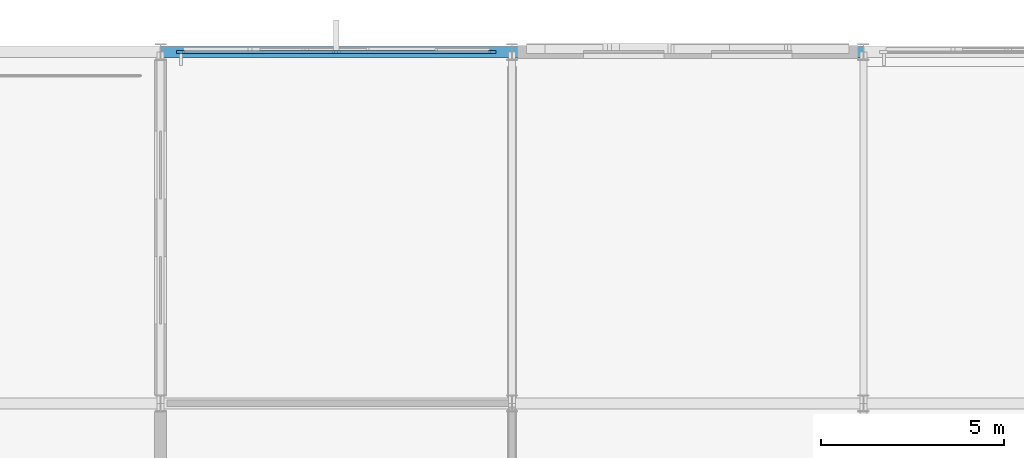
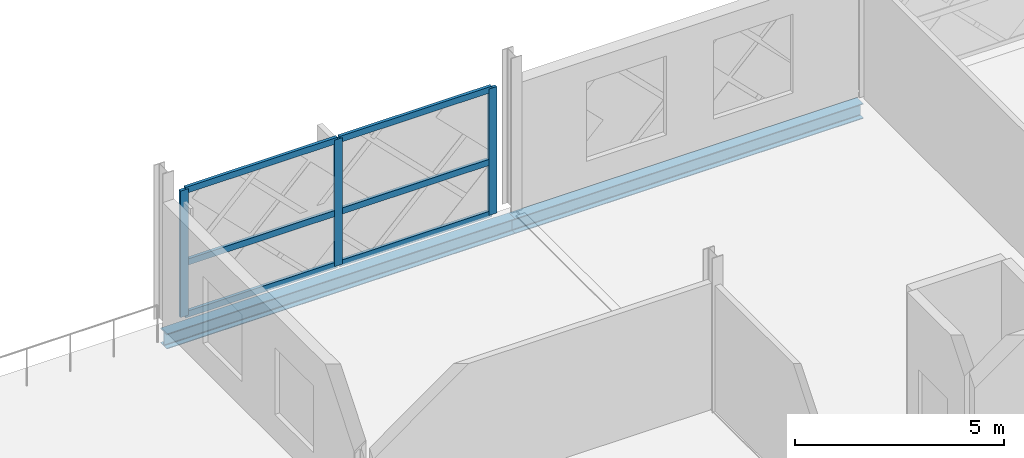
# One storey, part 46 of 101: 9 members, 2 beams, 1 element without a shape of its own.
"""IFC4 building model written with IfcOpenShell, lengths in metres."""

from ifc_helpers import new_model, si_unit, direction, frame, origin, origin_2d, place, context, subcontext, project, spatial, rectangle, i_section, extrude, material, layer, layer_set, material_profile, profile_set, type_object, element, aggregate, save


model = new_model("IFC4")

# Units and contexts
model_context = context("Model", 3, precision=1e-05, world=origin(), true_north=direction((0.0, 1.0)))
body_context = subcontext(model_context, "Body", "Model", "MODEL_VIEW")
ifc_project = project(units=[si_unit("LENGTHUNIT", "METRE"), si_unit("AREAUNIT", "SQUARE_METRE"), si_unit("VOLUMEUNIT", "CUBIC_METRE"), si_unit("PLANEANGLEUNIT", "RADIAN"), si_unit("MASSUNIT", "GRAM", prefix="KILO")], contexts=[model_context])

# Site, building, storey
site_placement = place(None, origin())
site = spatial("IfcSite", under=ifc_project, at=site_placement, CompositionType="ELEMENT")
building_placement = place(site_placement, origin())
building = spatial("IfcBuilding", under=site, at=building_placement, Name="Zevrakil Square Congress Hotel", CompositionType="ELEMENT")
storey_placement = place(building_placement, frame((0.0, 0.0, 5.39990234375)))
storey = spatial("IfcBuildingStorey", under=building, at=storey_placement, Name="L02", CompositionType="ELEMENT", Elevation=5.39990234375)

# Beams
ifc_material_1 = material(Name="Steel S355", Category="steel")
ifc_material_profile_1 = material_profile(ifc_material_1, i_section(OverallWidth=0.300048828125, OverallDepth=0.43994140625, WebThickness=0.011474609375, FlangeThickness=0.02099609375, FilletRadius=0.027099609375, at=origin_2d()), Name="HEA 450")
ifc_profile_set_1 = profile_set([ifc_material_profile_1], Name="Steel S355")
beam_type = type_object("IfcBeamType", Name="BM-HEA450", PredefinedType="BEAM", material=ifc_profile_set_1)
beam_1_placement = place(storey_placement, frame((45.60009765625, 112.800048828125, -0.47998046875), z_axis=(1.0, 0.0, 0.0), x_axis=(0.0, 1.0, 0.0)))
element("IfcBeam", 1, at=beam_1_placement, inside=storey, type_object=beam_type, Name="L02 primary girder BX-0804", PredefinedType="BEAM", context=body_context, shape_type="SweptSolid", body=[
    extrude(i_section(OverallWidth=0.300048828125, OverallDepth=0.43994140625, WebThickness=0.011474609375, FlangeThickness=0.02099609375, FilletRadius=0.027099609375, at=origin_2d()), origin(), (0.0, 0.0, 1.0), 9.599853515625),
])
beam_2_placement = place(storey_placement, frame((55.199951171875, 112.800048828125, -0.47998046875), z_axis=(1.0, 0.0, 0.0), x_axis=(0.0, 1.0, 0.0)))
element("IfcBeam", 2, at=beam_2_placement, inside=storey, type_object=beam_type, Name="L02 primary girder BX-0805", PredefinedType="BEAM", context=body_context, shape_type="SweptSolid", body=[
    extrude(i_section(OverallWidth=0.300048828125, OverallDepth=0.43994140625, WebThickness=0.011474609375, FlangeThickness=0.02099609375, FilletRadius=0.027099609375, at=origin_2d()), origin(), (0.0, 0.0, 1.0), 9.60009765625),
])

# Curtain wall, members
ifc_material_2 = material(Name="Aluminium Anodised Bronze", Category="aluminium")
ifc_layer = layer(ifc_material_2, 0.179931640625)
ifc_layer_set = layer_set([ifc_layer], Name="Aluminium Anodised Bronze")
curtain_wall_type = type_object("IfcCurtainWallType", Name="CW-L02-840", PredefinedType="USERDEFINED", material=ifc_layer_set)
curtain_wall_placement = place(storey_placement, origin())
curtain_wall = element("IfcCurtainWall", 3, at=curtain_wall_placement, inside=storey, type_object=curtain_wall_type, Name="L02 diamond curtain wall CW-L02-0036", ObjectType="GLAZED CURTAIN WALL", PredefinedType="USERDEFINED")
ifc_material_3 = material(Name="Aluminium Anodised Bronze", Category="aluminium")
ifc_material_profile_2 = material_profile(ifc_material_3, rectangle(XDim=0.0849609375, YDim=0.179931640625, at=origin_2d()), Name="ALU 85x180")
ifc_profile_set_2 = profile_set([ifc_material_profile_2], Name="Aluminium Anodised Bronze")
member_type_1 = type_object("IfcMemberType", Name="CWM-ALU85x180", PredefinedType="USERDEFINED", material=ifc_profile_set_2)
member_1_placement = place(storey_placement, frame((46.179931640625, 112.800048828125, 0.030029296875), z_axis=(1.0, 0.0, 0.0), x_axis=(0.0, 1.0, 0.0)))
member_1 = element("IfcMember", 4, at=member_1_placement, type_object=member_type_1, Name="CW-23 transom 1.1", ObjectType="TRANSOM", PredefinedType="USERDEFINED", context=body_context, shape_type="SweptSolid", body=[
    extrude(rectangle(XDim=0.0849609375, YDim=0.179931640625, at=origin_2d()), origin(), (0.0, 0.0, 1.0), 4.190185546875),
])
member_2_placement = place(storey_placement, frame((46.179931640625, 112.800048828125, 1.5478515625), z_axis=(1.0, 0.0, 0.0), x_axis=(0.0, 1.0, 0.0)))
member_2 = element("IfcMember", 5, at=member_2_placement, type_object=member_type_1, Name="CW-23 transom 1.2", ObjectType="TRANSOM", PredefinedType="USERDEFINED", context=body_context, shape_type="SweptSolid", body=[
    extrude(rectangle(XDim=0.0849609375, YDim=0.179931640625, at=origin_2d()), origin(), (0.0, 0.0, 1.0), 4.190185546875),
])
member_3_placement = place(storey_placement, frame((46.179931640625, 112.800048828125, 3.655029296875), z_axis=(1.0, 0.0, 0.0), x_axis=(0.0, 1.0, 0.0)))
member_3 = element("IfcMember", 6, at=member_3_placement, type_object=member_type_1, Name="CW-23 transom 1.3", ObjectType="TRANSOM", PredefinedType="USERDEFINED", context=body_context, shape_type="SweptSolid", body=[
    extrude(rectangle(XDim=0.0849609375, YDim=0.179931640625, at=origin_2d()), origin(), (0.0, 0.0, 1.0), 4.190185546875),
])
member_4_placement = place(storey_placement, frame((50.429931640625, 112.800048828125, 0.030029296875), z_axis=(1.0, 0.0, 0.0), x_axis=(0.0, 1.0, 0.0)))
member_4 = element("IfcMember", 7, at=member_4_placement, type_object=member_type_1, Name="CW-23 transom 2.1", ObjectType="TRANSOM", PredefinedType="USERDEFINED", context=body_context, shape_type="SweptSolid", body=[
    extrude(rectangle(XDim=0.0849609375, YDim=0.179931640625, at=origin_2d()), origin(), (0.0, 0.0, 1.0), 4.190185546875),
])
member_5_placement = place(storey_placement, frame((50.429931640625, 112.800048828125, 1.5478515625), z_axis=(1.0, 0.0, 0.0), x_axis=(0.0, 1.0, 0.0)))
member_5 = element("IfcMember", 8, at=member_5_placement, type_object=member_type_1, Name="CW-23 transom 2.2", ObjectType="TRANSOM", PredefinedType="USERDEFINED", context=body_context, shape_type="SweptSolid", body=[
    extrude(rectangle(XDim=0.0849609375, YDim=0.179931640625, at=origin_2d()), origin(), (0.0, 0.0, 1.0), 4.190185546875),
])
member_6_placement = place(storey_placement, frame((50.429931640625, 112.800048828125, 3.655029296875), z_axis=(1.0, 0.0, 0.0), x_axis=(0.0, 1.0, 0.0)))
member_6 = element("IfcMember", 9, at=member_6_placement, type_object=member_type_1, Name="CW-23 transom 2.3", ObjectType="TRANSOM", PredefinedType="USERDEFINED", context=body_context, shape_type="SweptSolid", body=[
    extrude(rectangle(XDim=0.0849609375, YDim=0.179931640625, at=origin_2d()), origin(), (0.0, 0.0, 1.0), 4.190185546875),
])
ifc_material_4 = material(Name="Aluminium Anodised Bronze", Category="aluminium")
ifc_material_profile_3 = material_profile(ifc_material_4, rectangle(XDim=0.0849609375, YDim=0.219970703125, at=origin_2d()), Name="ALU 85x220")
ifc_profile_set_3 = profile_set([ifc_material_profile_3], Name="Aluminium Anodised Bronze")
member_type_2 = type_object("IfcMemberType", Name="CWM-ALU85x220", PredefinedType="MULLION", material=ifc_profile_set_3)
member_7_placement = place(storey_placement, frame((46.14990234375, 112.800048828125, 0.0), z_axis=(0.0, 0.0, 1.0), x_axis=(0.0, 1.0, 0.0)))
member_7 = element("IfcMember", 10, at=member_7_placement, type_object=member_type_2, Name="CW-23 mullion 1", PredefinedType="MULLION", context=body_context, shape_type="SweptSolid", body=[
    extrude(rectangle(XDim=0.0849609375, YDim=0.219970703125, at=origin_2d()), origin(), (0.0, 0.0, 1.0), 3.68505859375),
])
member_8_placement = place(storey_placement, frame((50.39990234375, 112.800048828125, 0.0), z_axis=(0.0, 0.0, 1.0), x_axis=(0.0, 1.0, 0.0)))
member_8 = element("IfcMember", 11, at=member_8_placement, type_object=member_type_2, Name="CW-23 mullion 2", PredefinedType="MULLION", context=body_context, shape_type="SweptSolid", body=[
    extrude(rectangle(XDim=0.0849609375, YDim=0.219970703125, at=origin_2d()), origin(), (0.0, 0.0, 1.0), 3.68505859375),
])
member_9_placement = place(storey_placement, frame((54.64990234375, 112.800048828125, 0.0), z_axis=(0.0, 0.0, 1.0), x_axis=(0.0, 1.0, 0.0)))
member_9 = element("IfcMember", 12, at=member_9_placement, type_object=member_type_2, Name="CW-23 mullion 3", PredefinedType="MULLION", context=body_context, shape_type="SweptSolid", body=[
    extrude(rectangle(XDim=0.0849609375, YDim=0.219970703125, at=origin_2d()), origin(), (0.0, 0.0, 1.0), 3.68505859375),
])
aggregate(curtain_wall, [member_7, member_8, member_9, member_1, member_2, member_3, member_4, member_5, member_6])

save(model, "model.ifc")
